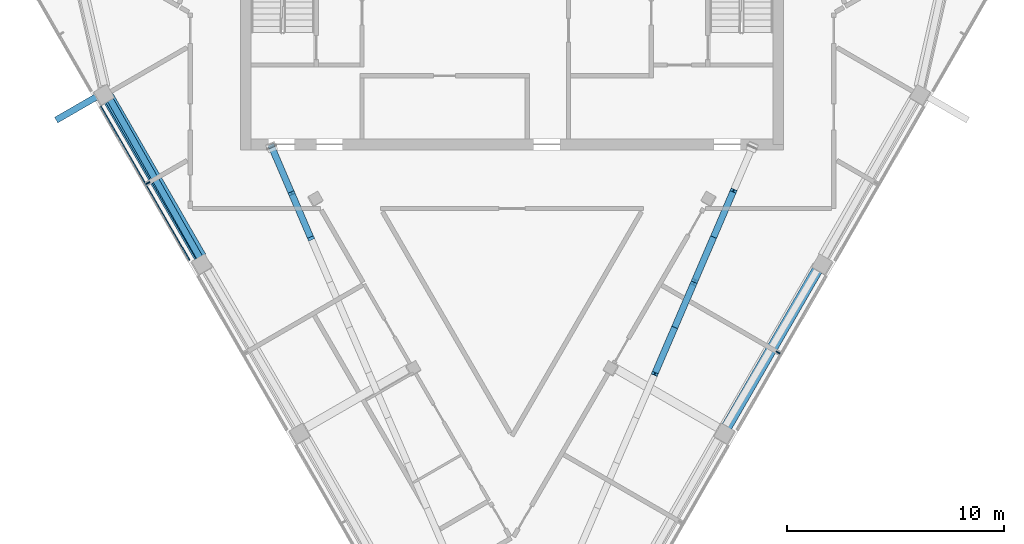
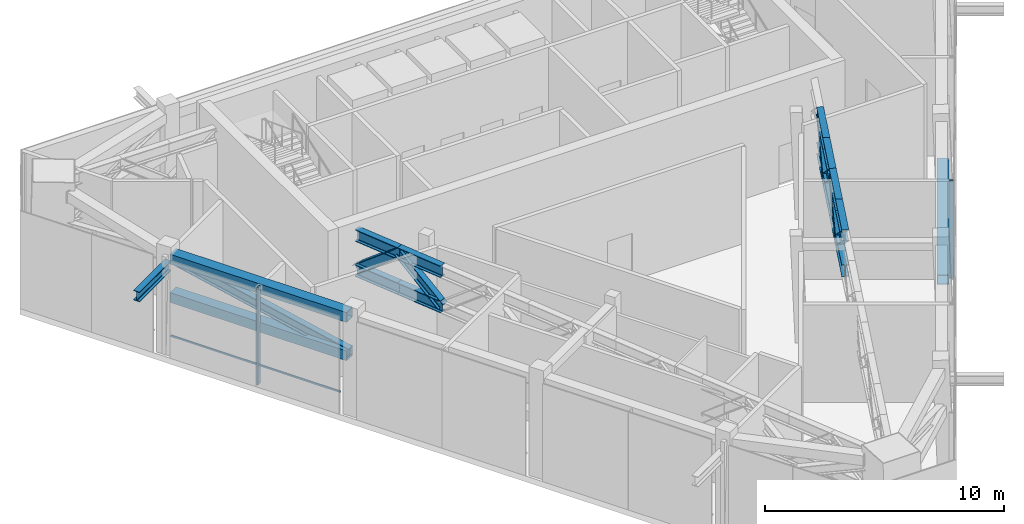
# One storey, part 3 of 13: 26 members, 2 elements without a shape of their own.
"""IFC4 building model written with IfcOpenShell, lengths in metres."""

import ifcopenshell
import ifcopenshell.guid

model = None  # the IFC model being written
_history = None  # IfcOwnerHistory: only IFC2X3 demands one
_inside = {}  # id of a spatial element -> (the spatial element, [elements in it])
_under = {}  # id of a project, library or spatial element -> (it, [spatial elements below it])
_declared = {}  # id of a project -> (the project, [libraries it declares])
_typed = {}  # id of a type object -> (the type object, [elements of that type])
_made_of = {}  # id of a material, layer set ... -> (it, [elements and type objects made of it])


def new_model(schema):
    """Start an empty IFC model of exactly this schema.

    Asked for "IFC4X3", IfcOpenShell would pick the latest addendum, in which some entities
    have other attributes; the version numbers below select the first issue.
    IFC2X3 requires an IfcOwnerHistory on every rooted entity: one is made here for all.
    """
    global model, _history
    if schema == "IFC4X3":
        model = ifcopenshell.file(schema_version=(4, 3, 0, 0))
    else:
        model = ifcopenshell.file(schema=schema)
    _inside.clear()
    _under.clear()
    _declared.clear()
    _typed.clear()
    _made_of.clear()
    _history = None
    if model.schema == "IFC2X3":
        org = make("IfcOrganization", Name="unknown")
        user = make(
            "IfcPersonAndOrganization",
            ThePerson=make("IfcPerson", FamilyName="unknown"),
            TheOrganization=org,
        )
        app = make(
            "IfcApplication",
            ApplicationDeveloper=org,
            Version="unknown",
            ApplicationFullName="unknown",
            ApplicationIdentifier="unknown",
        )
        _history = make(
            "IfcOwnerHistory",
            OwningUser=user,
            OwningApplication=app,
            ChangeAction="ADDED",
            CreationDate=0,
        )
    return model


def make(cls, **values):
    """One entity of the class cls with the attributes given. An attribute that is None is left unset."""
    return model.create_entity(
        cls, **{name: value for name, value in values.items() if value is not None}
    )


def rooted(cls, **values):
    """An entity with a GlobalId (a new one), such as an element, a storey or a relation."""
    return make(cls, GlobalId=ifcopenshell.guid.new(), OwnerHistory=_history, **values)


def si_unit(unit_type, name, prefix=None):
    """IfcSIUnit, for example si_unit("LENGTHUNIT", "METRE", prefix="MILLI")."""
    return make("IfcSIUnit", UnitType=unit_type, Prefix=prefix, Name=name)


def assignment(units):
    """IfcUnitAssignment: the units of a project."""
    return None if units is None else make("IfcUnitAssignment", Units=units)


def point(xyz):
    """IfcCartesianPoint."""
    return None if xyz is None else make("IfcCartesianPoint", Coordinates=xyz)


def direction(xyz):
    """IfcDirection."""
    return None if xyz is None else make("IfcDirection", DirectionRatios=xyz)


def frame(location, z_axis=None, x_axis=None):
    """IfcAxis2Placement3D, a coordinate frame: its origin and axes. An axis left out is left unset."""
    return make(
        "IfcAxis2Placement3D",
        Location=point(location),
        Axis=direction(z_axis),
        RefDirection=direction(x_axis),
    )


def frame_2d(location, x_axis=None):
    """IfcAxis2Placement2D, a coordinate frame in the plane: its origin and x axis."""
    return make(
        "IfcAxis2Placement2D", Location=point(location), RefDirection=direction(x_axis)
    )


def origin():
    """The frame at (0, 0, 0) with its axes left unset."""
    return frame((0.0, 0.0, 0.0))


def origin_2d():
    """The frame at (0, 0) in the plane with its x axis left unset."""
    return frame_2d((0.0, 0.0))


def place(relative_to, where):
    """IfcLocalPlacement: puts the frame where relative to a parent placement (None: the world)."""
    return make(
        "IfcLocalPlacement", PlacementRelTo=relative_to, RelativePlacement=where
    )


def context(
    kind, dimensions, precision=None, world=None, true_north=None, identifier=None
):
    """IfcGeometricRepresentationContext, for example the 3D "Model" context."""
    return make(
        "IfcGeometricRepresentationContext",
        ContextIdentifier=identifier,
        ContextType=kind,
        CoordinateSpaceDimension=dimensions,
        Precision=precision,
        WorldCoordinateSystem=world,
        TrueNorth=true_north,
    )


def subcontext(parent, identifier, kind, view, scale=None):
    """IfcGeometricRepresentationSubContext, for example "Body" below "Model"."""
    return make(
        "IfcGeometricRepresentationSubContext",
        ContextIdentifier=identifier,
        ContextType=kind,
        ParentContext=parent,
        TargetScale=scale,
        TargetView=view,
    )


def project(units=None, contexts=None):
    """IfcProject with its units and contexts."""
    return rooted(
        "IfcProject",
        Name="project",
        RepresentationContexts=contexts,
        UnitsInContext=assignment(units),
    )


def spatial(cls, under=None, at=None, **own):
    """A site, building, storey or space (cls), placed at a placement, below another one or the project."""
    s = rooted(cls, ObjectPlacement=at, **own)
    if under is not None:
        _under.setdefault(under.id(), (under, []))[1].append(s)
    return s


def profile(cls, at=None, kind="AREA", **sizes):
    """A parametric profile (cls). Its sizes go by their IFC names, for example OverallWidth=200.0."""
    return make(cls, ProfileType=kind, Position=at, **sizes)


def rectangle(**sizes):
    """IfcRectangleProfileDef."""
    return profile("IfcRectangleProfileDef", **sizes)


def hollow_rectangle(**sizes):
    """IfcRectangleHollowProfileDef."""
    return profile("IfcRectangleHollowProfileDef", **sizes)


def i_section(**sizes):
    """IfcIShapeProfileDef."""
    return profile("IfcIShapeProfileDef", **sizes)


def extrude(swept, where, along, depth):
    """IfcExtrudedAreaSolid: the profile swept, set in the frame where, extruded along a direction by depth."""
    return make(
        "IfcExtrudedAreaSolid",
        SweptArea=swept,
        Position=where,
        ExtrudedDirection=direction(along),
        Depth=depth,
    )


def shape(context_of_items, identifier, shape_type, items):
    """IfcShapeRepresentation: the items that make up one representation, for example the "Body"."""
    return make(
        "IfcShapeRepresentation",
        ContextOfItems=context_of_items,
        RepresentationIdentifier=identifier,
        RepresentationType=shape_type,
        Items=items,
    )


def material(Name=None, Category=None):
    """IfcMaterial."""
    return make("IfcMaterial", Name=Name, Category=Category)


def layer(
    of_material, thickness, ventilated=None, Name=None, Category=None, Priority=None
):
    """IfcMaterialLayer: one layer of a wall or slab, of a material (None: an air gap)."""
    return make(
        "IfcMaterialLayer",
        Material=of_material,
        LayerThickness=thickness,
        IsVentilated=ventilated,
        Name=Name,
        Category=Category,
        Priority=Priority,
    )


def layer_set(layers, Name=None):
    """IfcMaterialLayerSet."""
    return make("IfcMaterialLayerSet", MaterialLayers=layers, LayerSetName=Name)


def material_profile(
    of_material, cross_section, Name=None, Category=None, Priority=None
):
    """IfcMaterialProfile: a cross section and its material."""
    return make(
        "IfcMaterialProfile",
        Name=Name,
        Material=of_material,
        Profile=cross_section,
        Priority=Priority,
        Category=Category,
    )


def profile_set(profiles, Name=None, composite=None):
    """IfcMaterialProfileSet."""
    return make(
        "IfcMaterialProfileSet",
        Name=Name,
        MaterialProfiles=profiles,
        CompositeProfile=composite,
    )


def made_of(thing, what):
    """Note that an element or type object is made of a material, layer set ...; save() writes the relation."""
    if what is not None:
        _made_of.setdefault(what.id(), (what, []))[1].append(thing)
    return thing


def type_object(cls, material=None, **own):
    """A type object (cls), such as IfcWallType, which elements share."""
    return made_of(rooted(cls, **own), material)


def element(
    cls,
    number,
    at=None,
    inside=None,
    cuts=None,
    type_object=None,
    material=None,
    context=None,
    identifier="Body",
    shape_type=None,
    held_by="IfcProductDefinitionShape",
    body=None,
    shapes=None,
    **own,
):
    """One element of the class cls, such as IfcWall. Its Tag is "e" and its number.

    at: its placement. inside: the storey or other place that contains it. cuts: it is an
    opening in that element (IfcRelVoidsElement). A single representation is given by context,
    identifier, shape_type and body (its items); several are given by shapes. held_by: the class
    of the entity that holds the representations. save() writes the other relations.
    """
    e = rooted(cls, Tag="e%d" % number, ObjectPlacement=at, **own)
    if body is not None:
        shapes = [shape(context, identifier, shape_type, body)]
    if shapes is not None:
        e.Representation = make(held_by, Representations=shapes)
    if inside is not None:
        _inside.setdefault(inside.id(), (inside, []))[1].append(e)
    if cuts is not None:
        rooted(
            "IfcRelVoidsElement", RelatingBuildingElement=cuts, RelatedOpeningElement=e
        )
    if type_object is not None:
        _typed.setdefault(type_object.id(), (type_object, []))[1].append(e)
    return made_of(e, material)


def aggregate(whole, parts):
    """IfcRelAggregates: a whole, such as a stair, and the parts it consists of."""
    return rooted("IfcRelAggregates", RelatingObject=whole, RelatedObjects=parts)


def save(model, path):
    """Write the relations noted so far, then the file.

    IfcRelAggregates (storeys below a building ...), IfcRelContainedInSpatialStructure (elements
    in a storey), IfcRelDefinesByType, IfcRelAssociatesMaterial and IfcRelDeclares: one each for
    every whole, place, type object, material and project.
    """
    for whole, parts in _under.values():
        aggregate(whole, parts)
    for where, things in _inside.values():
        rooted(
            "IfcRelContainedInSpatialStructure",
            RelatedElements=things,
            RelatingStructure=where,
        )
    for kind, things in _typed.values():
        rooted("IfcRelDefinesByType", RelatedObjects=things, RelatingType=kind)
    for what, things in _made_of.values():
        rooted("IfcRelAssociatesMaterial", RelatedObjects=things, RelatingMaterial=what)
    for by, libraries in _declared.values():
        rooted("IfcRelDeclares", RelatingContext=by, RelatedDefinitions=libraries)
    model.write(path)


model = new_model("IFC4")

# Units and contexts
model_context = context("Model", 3, precision=1e-05, world=origin(), true_north=direction((0.0, 1.0)))
body_context = subcontext(model_context, "Body", "Model", "MODEL_VIEW")
ifc_project = project(units=[si_unit("LENGTHUNIT", "METRE"), si_unit("AREAUNIT", "SQUARE_METRE"), si_unit("VOLUMEUNIT", "CUBIC_METRE"), si_unit("PLANEANGLEUNIT", "RADIAN"), si_unit("MASSUNIT", "GRAM", prefix="KILO")], contexts=[model_context])

# Site, building, storey
site_placement = place(None, origin())
site = spatial("IfcSite", under=ifc_project, at=site_placement, CompositionType="ELEMENT")
building_placement = place(site_placement, origin())
building = spatial("IfcBuilding", under=site, at=building_placement, Name="Altiplano Prism Tower", CompositionType="ELEMENT")
storey_placement = place(building_placement, frame((0.0, 0.0, 286.0)))
storey = spatial("IfcBuildingStorey", under=building, at=storey_placement, Name="L74", CompositionType="ELEMENT", Elevation=286.0)

# Members
ifc_material_1 = material(Name="Steel S355", Category="steel")
ifc_material_profile_1 = material_profile(ifc_material_1, hollow_rectangle(XDim=0.5, YDim=0.5, WallThickness=0.02490234375, at=origin_2d()), Name="Belt chord Box 500x500x25")
ifc_profile_set_1 = profile_set([ifc_material_profile_1], Name="Steel S355")
member_type_1 = type_object("IfcMemberType", Name="Belt chord Box 500x500x25", PredefinedType="CHORD", material=ifc_profile_set_1)
for number, where, z_axis, x_axis, name in (
    (1, (66.38623046875, 95.29443359375, 2.85009765625), (0.500007039007, -0.866021339774, 0.0), (0.866021339774, 0.500007039007, 0.0), "Belt truss R3 chord b6"),
    (2, (66.428466796875, 95.36767578125, 4.75), (0.499994660107, -0.866028486751, 0.0), (0.866028486751, 0.499994660107, 0.0), "Belt truss R3 chord t6"),
    (3, (94.84375, 80.1044921875, 2.85009765625), (0.500007039007, 0.866021339774, 0.0), (-0.866021339774, 0.500007039007, 0.0), "Belt truss R3 chord b12"),
):
    element("IfcMember", number, at=place(storey_placement, frame(where, z_axis=z_axis, x_axis=x_axis)), inside=storey, type_object=member_type_1, Name=name, PredefinedType="CHORD", context=body_context, shape_type="SweptSolid", body=[
        extrude(hollow_rectangle(XDim=0.5, YDim=0.5, WallThickness=0.02490234375, at=origin_2d()), origin(), (0.0, 0.0, 1.0), 8.5400390625),
    ])
ifc_material_profile_2 = material_profile(ifc_material_1, i_section(OverallWidth=0.300048828125, OverallDepth=0.5, WebThickness=0.014404296875, FlangeThickness=0.028076171875, FilletRadius=0.027099609375, at=origin_2d()), Name="Belt diagonal HEB 500")
ifc_profile_set_2 = profile_set([ifc_material_profile_2], Name="Steel S355")
member_type_2 = type_object("IfcMemberType", Name="Belt diagonal HEB 500", PredefinedType="BRACE", material=ifc_profile_set_2)
member_1_placement = place(storey_placement, frame((66.427001953125, 95.36669921875, 4.70166015625), z_axis=(0.482435058696, -0.851457513288, -0.205612541462), x_axis=(0.870047400873, 0.492968072227, 0.0)))
element("IfcMember", 4, at=member_1_placement, inside=storey, type_object=member_type_2, Name="Belt truss R3 diagonal 6", PredefinedType="BRACE", context=body_context, shape_type="SweptSolid", body=[
    extrude(i_section(OverallWidth=0.300048828125, OverallDepth=0.5, WebThickness=0.014404296875, FlangeThickness=0.028076171875, FilletRadius=0.027099609375, at=origin_2d()), origin(), (0.0, 0.0, 1.0), 8.77001953125),
])
ifc_material_profile_3 = material_profile(ifc_material_1, i_section(OverallWidth=0.300048828125, OverallDepth=0.5, WebThickness=0.014404296875, FlangeThickness=0.028076171875, FilletRadius=0.027099609375, at=origin_2d()), Name="Brace bracket HEB 500")
ifc_profile_set_3 = profile_set([ifc_material_profile_3], Name="Steel S355")
member_type_3 = type_object("IfcMemberType", Name="Brace bracket HEB 500", PredefinedType="STRUT", material=ifc_profile_set_3)
member_2_placement = place(storey_placement, frame((66.327880859375, 95.591796875, 4.216796875), z_axis=(-0.866029095148, -0.499993606316, 0.0), x_axis=(0.499993606316, -0.866029095148, 0.0)))
element("IfcMember", 5, at=member_2_placement, inside=storey, type_object=member_type_3, Name="Brace bracket 1.291.4", PredefinedType="STRUT", context=body_context, shape_type="SweptSolid", body=[
    extrude(i_section(OverallWidth=0.300048828125, OverallDepth=0.5, WebThickness=0.014404296875, FlangeThickness=0.028076171875, FilletRadius=0.027099609375, at=origin_2d()), origin(), (0.0, 0.0, 1.0), 2.64990234375),
])

# Curtain wall, member
ifc_material_2 = material(Name="Aluminium and glass", Category="aluminium")
ifc_layer = layer(ifc_material_2, 0.320068359375)
ifc_layer_set = layer_set([ifc_layer], Name="Aluminium and glass")
curtain_wall_type = type_object("IfcCurtainWallType", Name="CW6 louvred plant-floor curtain wall", PredefinedType="NOTDEFINED", material=ifc_layer_set)
curtain_wall_1_placement = place(storey_placement, origin())
curtain_wall_1 = element("IfcCurtainWall", 6, at=curtain_wall_1_placement, inside=storey, type_object=curtain_wall_type, Name="CW6 curtain wall south-west face L74", PredefinedType="NOTDEFINED")
ifc_material_3 = material(Name="Aluminium", Category="aluminium")
ifc_material_profile_4 = material_profile(ifc_material_3, rectangle(XDim=0.199951171875, YDim=0.06005859375, at=origin_2d()), Name="CW6 mullion 60 x 200")
ifc_profile_set_4 = profile_set([ifc_material_profile_4], Name="Aluminium")
member_type_4 = type_object("IfcMemberType", Name="CW6 mullion 60 x 200", PredefinedType="MULLION", material=ifc_profile_set_4)
member_3_placement = place(storey_placement, frame((68.2587890625, 91.371826171875, 0.0), z_axis=(0.0, 0.0, 1.0), x_axis=(0.866025406813, 0.499999994755, 0.0)))
member_3 = element("IfcMember", 7, at=member_3_placement, type_object=member_type_4, Name="CW6 mullion", PredefinedType="MULLION", context=body_context, shape_type="SweptSolid", body=[
    extrude(rectangle(XDim=0.199951171875, YDim=0.06005859375, at=origin_2d()), origin(), (0.0, 0.0, 1.0), 5.0),
])

curtain_wall_2_placement = place(storey_placement, origin())
curtain_wall_2 = element("IfcCurtainWall", 8, at=curtain_wall_2_placement, inside=storey, type_object=curtain_wall_type, Name="CW6 curtain wall south-east face L74", PredefinedType="NOTDEFINED")
member_4_placement = place(storey_placement, frame((97.2412109375, 83.57763671875, 0.0), z_axis=(0.0, 0.0, 1.0), x_axis=(-0.866025406813, 0.499999994755, 0.0)))
member_4 = element("IfcMember", 9, at=member_4_placement, type_object=member_type_4, Name="CW6 mullion", PredefinedType="MULLION", context=body_context, shape_type="SweptSolid", body=[
    extrude(rectangle(XDim=0.199951171875, YDim=0.06005859375, at=origin_2d()), origin(), (0.0, 0.0, 1.0), 5.0),
])
aggregate(curtain_wall_2, [member_4])

# Member
ifc_material_profile_5 = material_profile(ifc_material_3, rectangle(XDim=0.06005859375, YDim=0.080078125, at=origin_2d()), Name="CW6 transom 80 x 60")
ifc_profile_set_5 = profile_set([ifc_material_profile_5], Name="Aluminium")
member_type_5 = type_object("IfcMemberType", Name="CW6 transom 80 x 60", PredefinedType="USERDEFINED", material=ifc_profile_set_5)
member_5_placement = place(storey_placement, frame((66.0712890625, 94.90087890625, 1.10009765625), z_axis=(0.499991148707, -0.866030514021, 0.0), x_axis=(0.866030514021, 0.499991148707, 0.0)))
member_5 = element("IfcMember", 10, at=member_5_placement, type_object=member_type_5, Name="CW6 transom", ObjectType="TRANSOM", PredefinedType="USERDEFINED", context=body_context, shape_type="SweptSolid", body=[
    extrude(rectangle(XDim=0.06005859375, YDim=0.080078125, at=origin_2d()), origin(), (0.0, 0.0, 1.0), 8.179931640625),
])

aggregate(curtain_wall_1, [member_3, member_5])

# Members
ifc_material_profile_6 = material_profile(ifc_material_1, i_section(OverallWidth=0.300048828125, OverallDepth=0.60009765625, WebThickness=0.015380859375, FlangeThickness=0.030029296875, FilletRadius=0.027099609375, at=origin_2d()), Name="Outrigger chord HEB 600")
ifc_profile_set_6 = profile_set([ifc_material_profile_6], Name="Steel S355")
member_type_6 = type_object("IfcMemberType", Name="Outrigger chord HEB 600", PredefinedType="CHORD", material=ifc_profile_set_6)
for number, where, z_axis, x_axis, name in (
    (11, (75.727294921875, 88.883544921875, 2.89990234375), (-0.395078780291, 0.918647243159, 0.0), (-0.918647243159, -0.395078780291, 0.0), "Outrigger truss R3 3 chord b11"),
    (12, (75.727294921875, 88.883544921875, 4.699951171875), (-0.395078780291, 0.918647243159, 0.0), (-0.918647243159, -0.395078780291, 0.0), "Outrigger truss R3 3 chord t11"),
):
    element("IfcMember", number, at=place(storey_placement, frame(where, z_axis=z_axis, x_axis=x_axis)), inside=storey, type_object=member_type_6, Name=name, PredefinedType="CHORD", context=body_context, shape_type="SweptSolid", body=[
        extrude(i_section(OverallWidth=0.300048828125, OverallDepth=0.60009765625, WebThickness=0.015380859375, FlangeThickness=0.030029296875, FilletRadius=0.027099609375, at=origin_2d()), origin(), (0.0, 0.0, 1.0), 2.260986328125),
    ])
for number, where, z_axis, x_axis, name in (
    (13, (74.833984375, 90.960693359375, 2.89990234375), (-0.395073208549, 0.918649639355, 0.0), (-0.918649639355, -0.395073208549, 0.0), "Outrigger truss R3 3 chord b12"),
    (14, (74.833984375, 90.960693359375, 4.699951171875), (-0.395073208549, 0.918649639355, 0.0), (-0.918649639355, -0.395073208549, 0.0), "Outrigger truss R3 3 chord t12"),
):
    element("IfcMember", number, at=place(storey_placement, frame(where, z_axis=z_axis, x_axis=x_axis)), inside=storey, type_object=member_type_6, Name=name, PredefinedType="CHORD", context=body_context, shape_type="SweptSolid", body=[
        extrude(i_section(OverallWidth=0.300048828125, OverallDepth=0.60009765625, WebThickness=0.015380859375, FlangeThickness=0.030029296875, FilletRadius=0.027099609375, at=origin_2d()), origin(), (0.0, 0.0, 1.0), 2.220947265625),
    ])
for number, where, z_axis, x_axis, name in (
    (15, (91.5927734375, 82.65185546875, 2.89990234375), (0.395078780291, 0.918647243159, 0.0), (-0.918647243159, 0.395078780291, 0.0), "Outrigger truss R3 4 chord b8"),
    (16, (91.5927734375, 82.65185546875, 4.699951171875), (0.395078780291, 0.918647243159, 0.0), (-0.918647243159, 0.395078780291, 0.0), "Outrigger truss R3 4 chord t8"),
):
    element("IfcMember", number, at=place(storey_placement, frame(where, z_axis=z_axis, x_axis=x_axis)), inside=storey, type_object=member_type_6, Name=name, PredefinedType="CHORD", context=body_context, shape_type="SweptSolid", body=[
        extrude(i_section(OverallWidth=0.300048828125, OverallDepth=0.60009765625, WebThickness=0.015380859375, FlangeThickness=0.030029296875, FilletRadius=0.027099609375, at=origin_2d()), origin(), (0.0, 0.0, 1.0), 2.260986328125),
    ])
for number, where, z_axis, x_axis, name in (
    (17, (92.486083984375, 84.72900390625, 2.89990234375), (0.395039595758, 0.918664094097, 0.0), (-0.918664094097, 0.395039595758, 0.0), "Outrigger truss R3 4 chord b9"),
    (18, (92.486083984375, 84.72900390625, 4.699951171875), (0.395039595758, 0.918664094097, 0.0), (-0.918664094097, 0.395039595758, 0.0), "Outrigger truss R3 4 chord t9"),
):
    element("IfcMember", number, at=place(storey_placement, frame(where, z_axis=z_axis, x_axis=x_axis)), inside=storey, type_object=member_type_6, Name=name, PredefinedType="CHORD", context=body_context, shape_type="SweptSolid", body=[
        extrude(i_section(OverallWidth=0.300048828125, OverallDepth=0.60009765625, WebThickness=0.015380859375, FlangeThickness=0.030029296875, FilletRadius=0.027099609375, at=origin_2d()), origin(), (0.0, 0.0, 1.0), 2.26123046875),
    ])
for number, where, z_axis, x_axis, name in (
    (19, (93.37939453125, 86.806396484375, 2.89990234375), (0.395078780291, 0.918647243159, 0.0), (-0.918647243159, 0.395078780291, 0.0), "Outrigger truss R3 4 chord b10"),
    (20, (93.37939453125, 86.806396484375, 4.699951171875), (0.395078780291, 0.918647243159, 0.0), (-0.918647243159, 0.395078780291, 0.0), "Outrigger truss R3 4 chord t10"),
    (21, (94.272705078125, 88.883544921875, 2.89990234375), (0.395078780291, 0.918647243159, 0.0), (-0.918647243159, 0.395078780291, 0.0), "Outrigger truss R3 4 chord b11"),
    (22, (94.272705078125, 88.883544921875, 4.699951171875), (0.395078780291, 0.918647243159, 0.0), (-0.918647243159, 0.395078780291, 0.0), "Outrigger truss R3 4 chord t11"),
):
    element("IfcMember", number, at=place(storey_placement, frame(where, z_axis=z_axis, x_axis=x_axis)), inside=storey, type_object=member_type_6, Name=name, PredefinedType="CHORD", context=body_context, shape_type="SweptSolid", body=[
        extrude(i_section(OverallWidth=0.300048828125, OverallDepth=0.60009765625, WebThickness=0.015380859375, FlangeThickness=0.030029296875, FilletRadius=0.027099609375, at=origin_2d()), origin(), (0.0, 0.0, 1.0), 2.260986328125),
    ])
ifc_material_profile_7 = material_profile(ifc_material_1, i_section(OverallWidth=0.300048828125, OverallDepth=0.449951171875, WebThickness=0.013916015625, FlangeThickness=0.02587890625, FilletRadius=0.027099609375, at=origin_2d()), Name="Outrigger diagonal HEB 450")
ifc_profile_set_7 = profile_set([ifc_material_profile_7], Name="Steel S355")
member_type_7 = type_object("IfcMemberType", Name="Outrigger diagonal HEB 450", PredefinedType="BRACE", material=ifc_profile_set_7)
member_6_placement = place(storey_placement, frame((75.727294921875, 88.883544921875, 2.89990234375), z_axis=(-0.309092428011, 0.71870958664, 0.622830957017), x_axis=(-0.918647243159, -0.395078780291, 0.0)))
element("IfcMember", 23, at=member_6_placement, inside=storey, type_object=member_type_7, Name="Outrigger truss R3 3 diagonal 11", PredefinedType="BRACE", context=body_context, shape_type="SweptSolid", body=[
    extrude(i_section(OverallWidth=0.300048828125, OverallDepth=0.449951171875, WebThickness=0.013916015625, FlangeThickness=0.02587890625, FilletRadius=0.027099609375, at=origin_2d()), origin(), (0.0, 0.0, 1.0), 2.89013671875),
])
member_7_placement = place(storey_placement, frame((74.833984375, 90.960693359375, 4.699951171875), z_axis=(-0.309068624968, 0.7187044799, -0.622848661901), x_axis=(-0.918657266522, -0.395055472898, 0.0)))
element("IfcMember", 24, at=member_7_placement, inside=storey, type_object=member_type_7, Name="Outrigger truss R3 3 diagonal 12", PredefinedType="BRACE", context=body_context, shape_type="SweptSolid", body=[
    extrude(i_section(OverallWidth=0.300048828125, OverallDepth=0.449951171875, WebThickness=0.013916015625, FlangeThickness=0.02587890625, FilletRadius=0.027099609375, at=origin_2d()), origin(), (0.0, 0.0, 1.0), 2.85009765625),
])
member_8_placement = place(storey_placement, frame((91.5927734375, 82.65185546875, 4.699951171875), z_axis=(0.309092428011, 0.71870958664, -0.622830957017), x_axis=(-0.918647243159, 0.395078780291, 0.0)))
element("IfcMember", 25, at=member_8_placement, inside=storey, type_object=member_type_7, Name="Outrigger truss R3 4 diagonal 8", PredefinedType="BRACE", context=body_context, shape_type="SweptSolid", body=[
    extrude(i_section(OverallWidth=0.300048828125, OverallDepth=0.449951171875, WebThickness=0.013916015625, FlangeThickness=0.02587890625, FilletRadius=0.027099609375, at=origin_2d()), origin(), (0.0, 0.0, 1.0), 2.89013671875),
])
member_9_placement = place(storey_placement, frame((92.486083984375, 84.72900390625, 2.89990234375), z_axis=(0.309073662788, 0.7187504227, 0.622793144502), x_axis=(-0.918664094097, 0.395039595758, 0.0)))
element("IfcMember", 26, at=member_9_placement, inside=storey, type_object=member_type_7, Name="Outrigger truss R3 4 diagonal 9", PredefinedType="BRACE", context=body_context, shape_type="SweptSolid", body=[
    extrude(i_section(OverallWidth=0.300048828125, OverallDepth=0.449951171875, WebThickness=0.013916015625, FlangeThickness=0.02587890625, FilletRadius=0.027099609375, at=origin_2d()), origin(), (0.0, 0.0, 1.0), 2.890380859375),
])
for number, where, z_axis, x_axis, name in (
    (27, (93.37939453125, 86.806396484375, 4.699951171875), (0.309092428011, 0.71870958664, -0.622830957017), (-0.918647243159, 0.395078780291, 0.0), "Outrigger truss R3 4 diagonal 10"),
    (28, (94.272705078125, 88.883544921875, 2.89990234375), (0.309092428011, 0.71870958664, 0.622830957017), (-0.918647243159, 0.395078780291, 0.0), "Outrigger truss R3 4 diagonal 11"),
):
    element("IfcMember", number, at=place(storey_placement, frame(where, z_axis=z_axis, x_axis=x_axis)), inside=storey, type_object=member_type_7, Name=name, PredefinedType="BRACE", context=body_context, shape_type="SweptSolid", body=[
        extrude(i_section(OverallWidth=0.300048828125, OverallDepth=0.449951171875, WebThickness=0.013916015625, FlangeThickness=0.02587890625, FilletRadius=0.027099609375, at=origin_2d()), origin(), (0.0, 0.0, 1.0), 2.89013671875),
    ])

save(model, "model.ifc")
